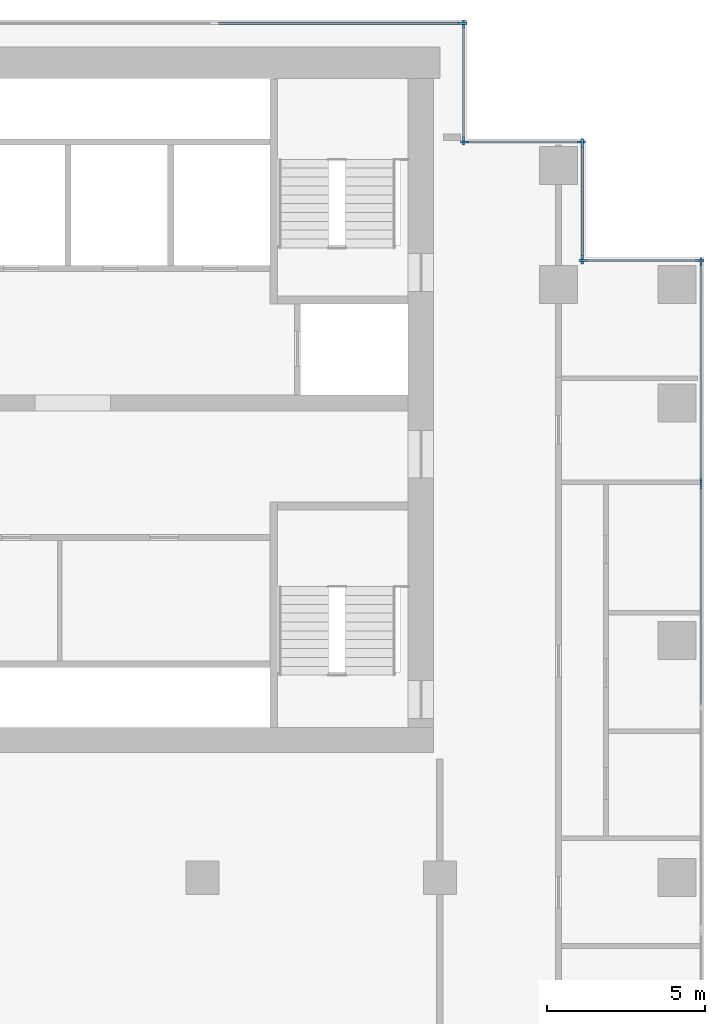
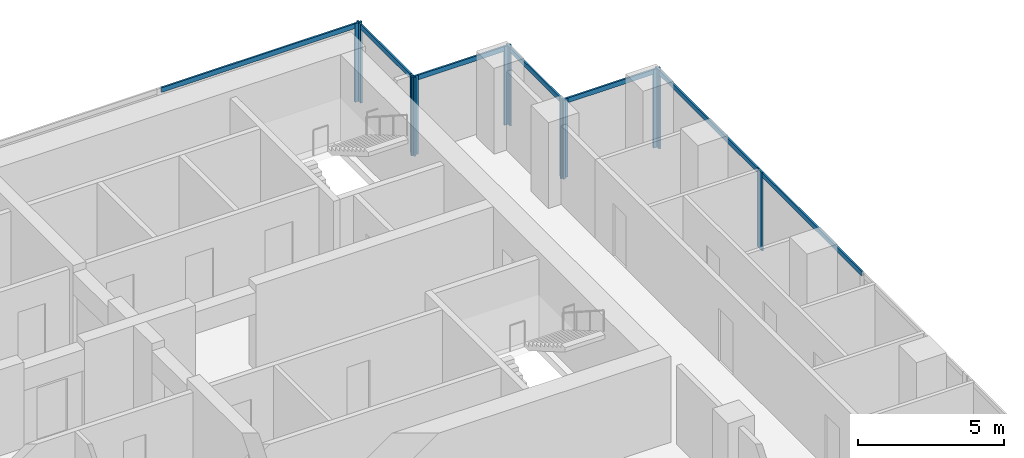
# One storey, part 5 of 11: 19 members, 7 elements without a shape of their own.
"""IFC4 building model written with IfcOpenShell, lengths in metres."""

from ifc_helpers import new_model, si_unit, direction, frame, origin, origin_2d, place, context, subcontext, project, spatial, rectangle, extrude, material, material_profile, profile_set, type_object, element, aggregate, save


model = new_model("IFC4")

# Units and contexts
model_context = context("Model", 3, precision=1e-05, world=origin(), true_north=direction((0.0, 1.0)))
body_context = subcontext(model_context, "Body", "Model", "MODEL_VIEW")
ifc_project = project(units=[si_unit("LENGTHUNIT", "METRE"), si_unit("AREAUNIT", "SQUARE_METRE"), si_unit("VOLUMEUNIT", "CUBIC_METRE"), si_unit("PLANEANGLEUNIT", "RADIAN"), si_unit("MASSUNIT", "GRAM", prefix="KILO")], contexts=[model_context])

# Site, building, storey
site_placement = place(None, origin())
site = spatial("IfcSite", under=ifc_project, at=site_placement, CompositionType="ELEMENT")
building_placement = place(site_placement, origin())
building = spatial("IfcBuilding", under=site, at=building_placement, Name="Pilkhan Gate Tower", CompositionType="ELEMENT")
storey_placement = place(building_placement, frame((0.0, 0.0, 151.300048828125)))
storey = spatial("IfcBuildingStorey", under=building, at=storey_placement, Name="L38", CompositionType="ELEMENT", Elevation=151.300048828125)

# Curtain wall, member
ifc_material_1 = material(Name="Pale anodised aluminium, clear low-iron double glazing", Category="aluminium")
curtain_wall_type = type_object("IfcCurtainWallType", Name="Office unitised curtain wall CW-O1", PredefinedType="USERDEFINED", material=ifc_material_1)
curtain_wall_1_placement = place(storey_placement, origin())
curtain_wall_1 = element("IfcCurtainWall", 1, at=curtain_wall_1_placement, inside=storey, type_object=curtain_wall_type, Name="Office unitised curtain wall CW-O1 L38 E", ObjectType="UNITISED CURTAIN WALL", PredefinedType="USERDEFINED")
ifc_material_2 = material(Name="Pale anodised aluminium", Category="aluminium")
ifc_material_profile_1 = material_profile(ifc_material_2, rectangle(XDim=0.070068359375, YDim=0.27490234375, at=origin_2d()), Name="Mullion 275x70")
ifc_profile_set_1 = profile_set([ifc_material_profile_1], Name="Pale anodised aluminium")
member_type_1 = type_object("IfcMemberType", Name="Mullion CW-O1 275x70", PredefinedType="MULLION", material=ifc_profile_set_1)
member_1_placement = place(storey_placement, frame((98.25, 79.9150390625, 0.0), z_axis=(0.0, 0.0, 1.0), x_axis=(-1.0, 0.0, 0.0)))
member_1 = element("IfcMember", 2, at=member_1_placement, type_object=member_type_1, Name="CW-O1 mullion 3", PredefinedType="MULLION", context=body_context, shape_type="SweptSolid", body=[
    extrude(rectangle(XDim=0.070068359375, YDim=0.27490234375, at=origin_2d()), origin(), (0.0, 0.0, 1.0), 3.300048828125),
])

# Curtain wall, members
curtain_wall_2_placement = place(storey_placement, origin())
curtain_wall_2 = element("IfcCurtainWall", 3, at=curtain_wall_2_placement, inside=storey, type_object=curtain_wall_type, Name="Office unitised curtain wall CW-O1 L38 E", ObjectType="UNITISED CURTAIN WALL", PredefinedType="USERDEFINED")
member_2_placement = place(storey_placement, frame((98.25, 79.985107421875, 0.0), z_axis=(0.0, 0.0, 1.0), x_axis=(-1.0, 0.0, 0.0)))
member_2 = element("IfcMember", 4, at=member_2_placement, type_object=member_type_1, Name="CW-O1 mullion 1", PredefinedType="MULLION", context=body_context, shape_type="SweptSolid", body=[
    extrude(rectangle(XDim=0.070068359375, YDim=0.27490234375, at=origin_2d()), origin(), (0.0, 0.0, 1.0), 3.300048828125),
])
member_3_placement = place(storey_placement, frame((98.25, 86.965087890625, 0.0), z_axis=(0.0, 0.0, 1.0), x_axis=(-1.0, 0.0, 0.0)))
member_3 = element("IfcMember", 5, at=member_3_placement, type_object=member_type_1, Name="CW-O1 mullion 2", PredefinedType="MULLION", context=body_context, shape_type="SweptSolid", body=[
    extrude(rectangle(XDim=0.070068359375, YDim=0.27490234375, at=origin_2d()), origin(), (0.0, 0.0, 1.0), 3.300048828125),
])

curtain_wall_3_placement = place(storey_placement, origin())
curtain_wall_3 = element("IfcCurtainWall", 6, at=curtain_wall_3_placement, inside=storey, type_object=curtain_wall_type, Name="Office unitised curtain wall CW-O1 L38 N", ObjectType="UNITISED CURTAIN WALL", PredefinedType="USERDEFINED")
member_4_placement = place(storey_placement, frame((94.534912109375, 87.0, 0.0), z_axis=(0.0, 0.0, 1.0), x_axis=(0.0, 1.0, 0.0)))
member_4 = element("IfcMember", 7, at=member_4_placement, type_object=member_type_1, Name="CW-O1 mullion 1", PredefinedType="MULLION", context=body_context, shape_type="SweptSolid", body=[
    extrude(rectangle(XDim=0.070068359375, YDim=0.27490234375, at=origin_2d()), origin(), (0.0, 0.0, 1.0), 3.300048828125),
])
member_5_placement = place(storey_placement, frame((98.215087890625, 87.0, 0.0), z_axis=(0.0, 0.0, 1.0), x_axis=(0.0, 1.0, 0.0)))
member_5 = element("IfcMember", 8, at=member_5_placement, type_object=member_type_1, Name="CW-O1 mullion 2", PredefinedType="MULLION", context=body_context, shape_type="SweptSolid", body=[
    extrude(rectangle(XDim=0.070068359375, YDim=0.27490234375, at=origin_2d()), origin(), (0.0, 0.0, 1.0), 3.300048828125),
])

curtain_wall_4_placement = place(storey_placement, origin())
curtain_wall_4 = element("IfcCurtainWall", 9, at=curtain_wall_4_placement, inside=storey, type_object=curtain_wall_type, Name="Office unitised curtain wall CW-O1 L38 E", ObjectType="UNITISED CURTAIN WALL", PredefinedType="USERDEFINED")
member_6_placement = place(storey_placement, frame((94.5, 87.034912109375, 0.0), z_axis=(0.0, 0.0, 1.0), x_axis=(-1.0, 0.0, 0.0)))
member_6 = element("IfcMember", 10, at=member_6_placement, type_object=member_type_1, Name="CW-O1 mullion 1", PredefinedType="MULLION", context=body_context, shape_type="SweptSolid", body=[
    extrude(rectangle(XDim=0.070068359375, YDim=0.27490234375, at=origin_2d()), origin(), (0.0, 0.0, 1.0), 3.300048828125),
])
member_7_placement = place(storey_placement, frame((94.5, 90.715087890625, 0.0), z_axis=(0.0, 0.0, 1.0), x_axis=(-1.0, 0.0, 0.0)))
member_7 = element("IfcMember", 11, at=member_7_placement, type_object=member_type_1, Name="CW-O1 mullion 2", PredefinedType="MULLION", context=body_context, shape_type="SweptSolid", body=[
    extrude(rectangle(XDim=0.070068359375, YDim=0.27490234375, at=origin_2d()), origin(), (0.0, 0.0, 1.0), 3.300048828125),
])

curtain_wall_5_placement = place(storey_placement, origin())
curtain_wall_5 = element("IfcCurtainWall", 12, at=curtain_wall_5_placement, inside=storey, type_object=curtain_wall_type, Name="Office unitised curtain wall CW-O1 L38 N", ObjectType="UNITISED CURTAIN WALL", PredefinedType="USERDEFINED")
member_8_placement = place(storey_placement, frame((90.784912109375, 90.75, 0.0), z_axis=(0.0, 0.0, 1.0), x_axis=(0.0, 1.0, 0.0)))
member_8 = element("IfcMember", 13, at=member_8_placement, type_object=member_type_1, Name="CW-O1 mullion 1", PredefinedType="MULLION", context=body_context, shape_type="SweptSolid", body=[
    extrude(rectangle(XDim=0.070068359375, YDim=0.27490234375, at=origin_2d()), origin(), (0.0, 0.0, 1.0), 3.300048828125),
])
member_9_placement = place(storey_placement, frame((94.465087890625, 90.75, 0.0), z_axis=(0.0, 0.0, 1.0), x_axis=(0.0, 1.0, 0.0)))
member_9 = element("IfcMember", 14, at=member_9_placement, type_object=member_type_1, Name="CW-O1 mullion 2", PredefinedType="MULLION", context=body_context, shape_type="SweptSolid", body=[
    extrude(rectangle(XDim=0.070068359375, YDim=0.27490234375, at=origin_2d()), origin(), (0.0, 0.0, 1.0), 3.300048828125),
])

curtain_wall_6_placement = place(storey_placement, origin())
curtain_wall_6 = element("IfcCurtainWall", 15, at=curtain_wall_6_placement, inside=storey, type_object=curtain_wall_type, Name="Office unitised curtain wall CW-O1 L38 E", ObjectType="UNITISED CURTAIN WALL", PredefinedType="USERDEFINED")
member_10_placement = place(storey_placement, frame((90.75, 90.784912109375, 0.0), z_axis=(0.0, 0.0, 1.0), x_axis=(-1.0, 0.0, 0.0)))
member_10 = element("IfcMember", 16, at=member_10_placement, type_object=member_type_1, Name="CW-O1 mullion 1", PredefinedType="MULLION", context=body_context, shape_type="SweptSolid", body=[
    extrude(rectangle(XDim=0.070068359375, YDim=0.27490234375, at=origin_2d()), origin(), (0.0, 0.0, 1.0), 3.300048828125),
])
member_11_placement = place(storey_placement, frame((90.75, 94.465087890625, 0.0), z_axis=(0.0, 0.0, 1.0), x_axis=(-1.0, 0.0, 0.0)))
member_11 = element("IfcMember", 17, at=member_11_placement, type_object=member_type_1, Name="CW-O1 mullion 2", PredefinedType="MULLION", context=body_context, shape_type="SweptSolid", body=[
    extrude(rectangle(XDim=0.070068359375, YDim=0.27490234375, at=origin_2d()), origin(), (0.0, 0.0, 1.0), 3.300048828125),
])

# Curtain wall, member
curtain_wall_7_placement = place(storey_placement, origin())
curtain_wall_7 = element("IfcCurtainWall", 18, at=curtain_wall_7_placement, inside=storey, type_object=curtain_wall_type, Name="Office unitised curtain wall CW-O1 L38 N", ObjectType="UNITISED CURTAIN WALL", PredefinedType="USERDEFINED")
member_12_placement = place(storey_placement, frame((90.715087890625, 94.5, 0.0), z_axis=(0.0, 0.0, 1.0), x_axis=(0.0, 1.0, 0.0)))
member_12 = element("IfcMember", 19, at=member_12_placement, type_object=member_type_1, Name="CW-O1 mullion 3", PredefinedType="MULLION", context=body_context, shape_type="SweptSolid", body=[
    extrude(rectangle(XDim=0.070068359375, YDim=0.27490234375, at=origin_2d()), origin(), (0.0, 0.0, 1.0), 3.300048828125),
])

# Member
ifc_material_profile_2 = material_profile(ifc_material_2, rectangle(XDim=0.070068359375, YDim=0.199951171875, at=origin_2d()), Name="Transom 200x70")
ifc_profile_set_2 = profile_set([ifc_material_profile_2], Name="Pale anodised aluminium")
member_type_2 = type_object("IfcMemberType", Name="Transom CW-O1 200x70", PredefinedType="USERDEFINED", material=ifc_profile_set_2)
member_13_placement = place(storey_placement, frame((98.25, 72.93505859375, 3.199951171875), z_axis=(0.0, 1.0, 0.0), x_axis=(-1.0, 0.0, 0.0)))
member_13 = element("IfcMember", 20, at=member_13_placement, type_object=member_type_2, Name="CW-O1 transom 2", ObjectType="TRANSOM", PredefinedType="USERDEFINED", context=body_context, shape_type="SweptSolid", body=[
    extrude(rectangle(XDim=0.070068359375, YDim=0.199951171875, at=origin_2d()), origin(), (0.0, 0.0, 1.0), 6.94482421875),
])

aggregate(curtain_wall_1, [member_1, member_13])

member_14_placement = place(storey_placement, frame((98.25, 80.02001953125, 3.199951171875), z_axis=(0.0, 1.0, 0.0), x_axis=(-1.0, 0.0, 0.0)))
member_14 = element("IfcMember", 21, at=member_14_placement, type_object=member_type_2, Name="CW-O1 transom 1", ObjectType="TRANSOM", PredefinedType="USERDEFINED", context=body_context, shape_type="SweptSolid", body=[
    extrude(rectangle(XDim=0.070068359375, YDim=0.199951171875, at=origin_2d()), origin(), (0.0, 0.0, 1.0), 6.909912109375),
])

aggregate(curtain_wall_2, [member_2, member_3, member_14])

member_15_placement = place(storey_placement, frame((94.570068359375, 87.0, 3.199951171875), z_axis=(1.0, 0.0, 0.0), x_axis=(0.0, 1.0, 0.0)))
member_15 = element("IfcMember", 22, at=member_15_placement, type_object=member_type_2, Name="CW-O1 transom 1", ObjectType="TRANSOM", PredefinedType="USERDEFINED", context=body_context, shape_type="SweptSolid", body=[
    extrude(rectangle(XDim=0.070068359375, YDim=0.199951171875, at=origin_2d()), origin(), (0.0, 0.0, 1.0), 3.60986328125),
])

aggregate(curtain_wall_3, [member_4, member_5, member_15])

member_16_placement = place(storey_placement, frame((94.5, 87.070068359375, 3.199951171875), z_axis=(0.0, 1.0, 0.0), x_axis=(-1.0, 0.0, 0.0)))
member_16 = element("IfcMember", 23, at=member_16_placement, type_object=member_type_2, Name="CW-O1 transom 1", ObjectType="TRANSOM", PredefinedType="USERDEFINED", context=body_context, shape_type="SweptSolid", body=[
    extrude(rectangle(XDim=0.070068359375, YDim=0.199951171875, at=origin_2d()), origin(), (0.0, 0.0, 1.0), 3.60986328125),
])

aggregate(curtain_wall_4, [member_6, member_7, member_16])

member_17_placement = place(storey_placement, frame((90.820068359375, 90.75, 3.199951171875), z_axis=(1.0, 0.0, 0.0), x_axis=(0.0, 1.0, 0.0)))
member_17 = element("IfcMember", 24, at=member_17_placement, type_object=member_type_2, Name="CW-O1 transom 1", ObjectType="TRANSOM", PredefinedType="USERDEFINED", context=body_context, shape_type="SweptSolid", body=[
    extrude(rectangle(XDim=0.070068359375, YDim=0.199951171875, at=origin_2d()), origin(), (0.0, 0.0, 1.0), 3.60986328125),
])

aggregate(curtain_wall_5, [member_8, member_9, member_17])

member_18_placement = place(storey_placement, frame((90.75, 90.820068359375, 3.199951171875), z_axis=(0.0, 1.0, 0.0), x_axis=(-1.0, 0.0, 0.0)))
member_18 = element("IfcMember", 25, at=member_18_placement, type_object=member_type_2, Name="CW-O1 transom 1", ObjectType="TRANSOM", PredefinedType="USERDEFINED", context=body_context, shape_type="SweptSolid", body=[
    extrude(rectangle(XDim=0.070068359375, YDim=0.199951171875, at=origin_2d()), origin(), (0.0, 0.0, 1.0), 3.60986328125),
])

aggregate(curtain_wall_6, [member_10, member_11, member_18])

member_19_placement = place(storey_placement, frame((82.909912109375, 94.5, 3.199951171875), z_axis=(1.0, 0.0, 0.0), x_axis=(0.0, 1.0, 0.0)))
member_19 = element("IfcMember", 26, at=member_19_placement, type_object=member_type_2, Name="CW-O1 transom 2", ObjectType="TRANSOM", PredefinedType="USERDEFINED", context=body_context, shape_type="SweptSolid", body=[
    extrude(rectangle(XDim=0.070068359375, YDim=0.199951171875, at=origin_2d()), origin(), (0.0, 0.0, 1.0), 7.77001953125),
])

aggregate(curtain_wall_7, [member_12, member_19])

save(model, "model.ifc")
